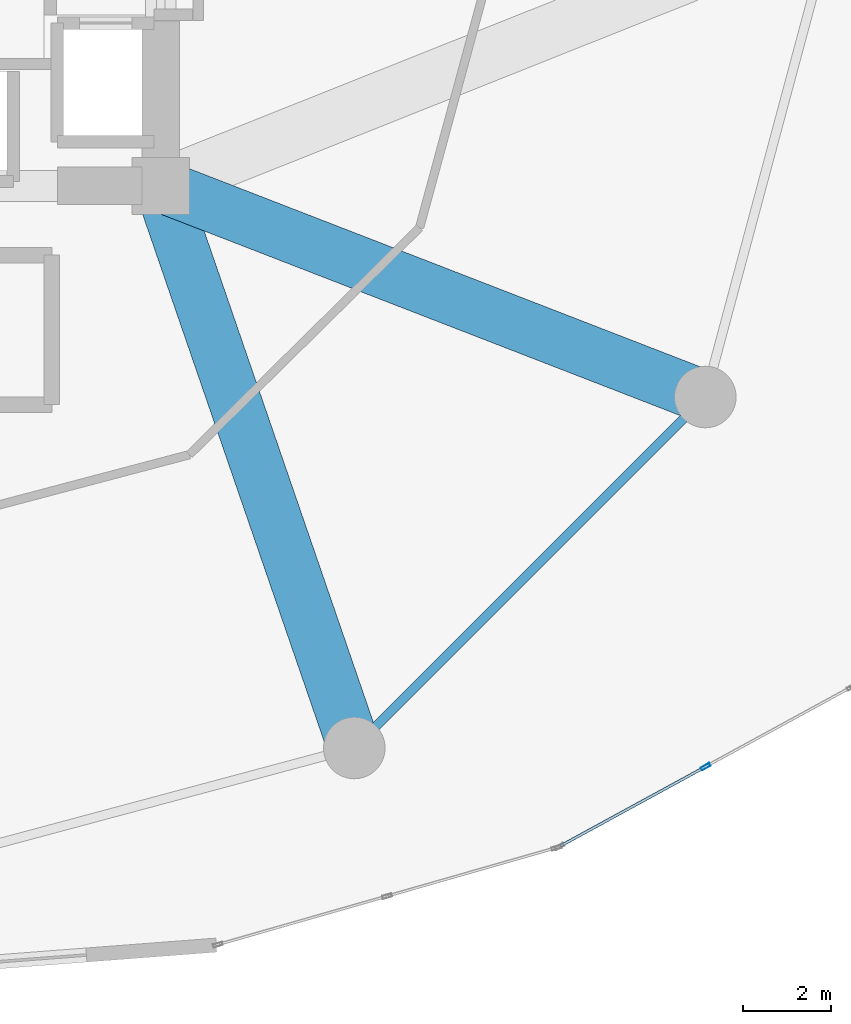
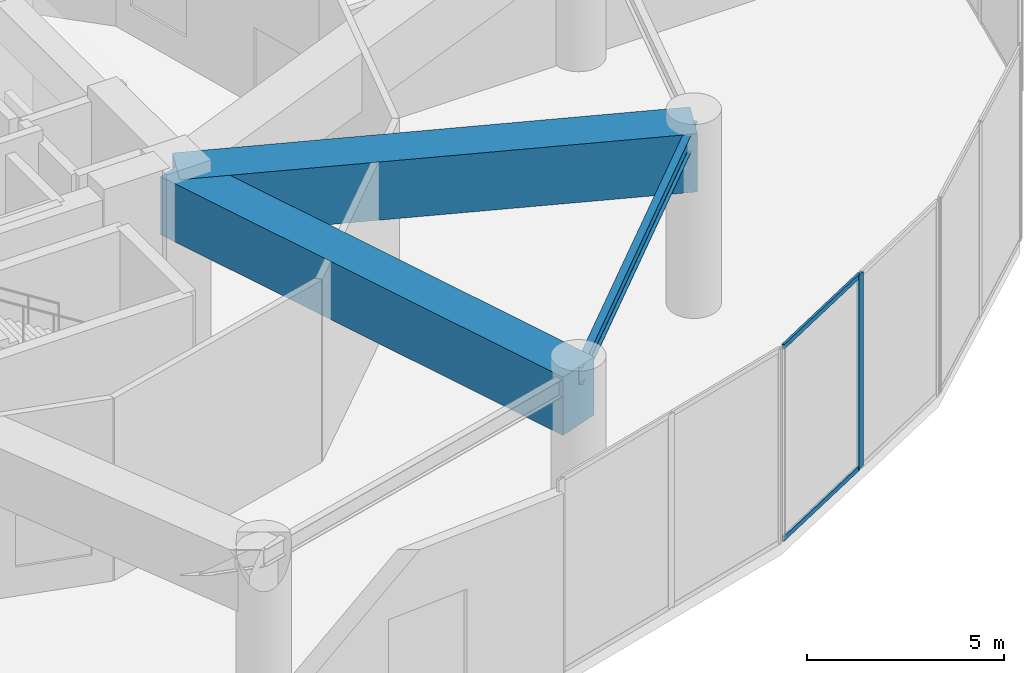
# One storey, part 10 of 28: 3 beams, 3 members, 1 element without a shape of its own.
"""IFC4 building model written with IfcOpenShell, lengths in metres."""

from ifc_helpers import new_model, si_unit, direction, frame, origin, origin_2d, place, context, subcontext, project, spatial, rectangle, hollow_rectangle, i_section, extrude, source, transform, mapped, material, layer, layer_set, material_profile, profile_set, type_object, element, aggregate, save


model = new_model("IFC4")

# Units and contexts
model_context = context("Model", 3, precision=1e-05, world=origin(), true_north=direction((0.0, 1.0)))
body_context = subcontext(model_context, "Body", "Model", "MODEL_VIEW")
ifc_project = project(units=[si_unit("LENGTHUNIT", "METRE"), si_unit("AREAUNIT", "SQUARE_METRE"), si_unit("VOLUMEUNIT", "CUBIC_METRE"), si_unit("PLANEANGLEUNIT", "RADIAN"), si_unit("MASSUNIT", "GRAM", prefix="KILO")], contexts=[model_context])

# Site, building, storey
site_placement = place(None, origin())
site = spatial("IfcSite", under=ifc_project, at=site_placement, CompositionType="ELEMENT")
building_placement = place(site_placement, origin())
building = spatial("IfcBuilding", under=site, at=building_placement, Name="Solvirekh Grand Hotel", CompositionType="ELEMENT")
storey_placement = place(building_placement, frame((0.0, 0.0, 12.60009765625)))
storey = spatial("IfcBuildingStorey", under=building, at=storey_placement, Name="L02", CompositionType="ELEMENT", Elevation=12.60009765625)

# Beams
ifc_material_1 = material(Name="Steel S355", Category="steel")
ifc_material_profile_1 = material_profile(ifc_material_1, i_section(OverallWidth=0.208984375, OverallDepth=0.532958984375, WebThickness=0.010009765625, FlangeThickness=0.014892578125, FilletRadius=0.013916015625, at=origin_2d()), Name="W530X92")
ifc_profile_set_1 = profile_set([ifc_material_profile_1], Name="Steel S355")
beam_type_1 = type_object("IfcBeamType", Name="Spandrel_Ring_W530", PredefinedType="SPANDREL", material=ifc_profile_set_1)
beam_1_placement = place(storey_placement, frame((10.89990234375, -18.87890625, 5.372802734375), z_axis=(0.707106781187, 0.707106781187, 0.0), x_axis=(-0.707106781187, 0.707106781187, 0.0)))
element("IfcBeam", 1, at=beam_1_placement, inside=storey, type_object=beam_type_1, Name="L02 perimeter spandrel beam 11", PredefinedType="SPANDREL", context=body_context, shape_type="SweptSolid", body=[
    extrude(i_section(OverallWidth=0.208984375, OverallDepth=0.532958984375, WebThickness=0.010009765625, FlangeThickness=0.014892578125, FilletRadius=0.013916015625, at=origin_2d()), origin(), (0.0, 0.0, 1.0), 11.283935546875),
])
ifc_material_2 = material(Name="Concrete C60/75", Category="concrete")
ifc_material_profile_2 = material_profile(ifc_material_2, rectangle(XDim=1.199951171875, YDim=1.800048828125, at=origin_2d()), Name="RC GIRDER 1200X1800")
ifc_profile_set_2 = profile_set([ifc_material_profile_2], Name="Concrete C60/75")
beam_type_2 = type_object("IfcBeamType", Name="TransferGirder_RC1800", PredefinedType="USERDEFINED", material=ifc_profile_set_2)
beam_2_placement = place(storey_placement, frame((6.5, -6.10009765625, 4.739990234375), z_axis=(0.325555300394, -0.94552300151, 0.0), x_axis=(0.94552300151, 0.325555300394, 0.0)))
element("IfcBeam", 2, at=beam_2_placement, inside=storey, type_object=beam_type_2, Name="L02 radial transfer girder 11", ObjectType="TRANSFER GIRDER", PredefinedType="USERDEFINED", context=body_context, shape_type="SweptSolid", body=[
    extrude(rectangle(XDim=1.199951171875, YDim=1.800048828125, at=origin_2d()), origin(), (0.0, 0.0, 1.0), 13.51513671875),
])
beam_3_placement = place(storey_placement, frame((6.5, -6.10009765625, 4.739990234375), z_axis=(0.932365862704, -0.361516110381, 0.0), x_axis=(0.361516110381, 0.932365862704, 0.0)))
element("IfcBeam", 3, at=beam_3_placement, inside=storey, type_object=beam_type_2, Name="L02 radial transfer girder 12", ObjectType="TRANSFER GIRDER", PredefinedType="USERDEFINED", context=body_context, shape_type="SweptSolid", body=[
    extrude(rectangle(XDim=1.199951171875, YDim=1.800048828125, at=origin_2d()), origin(), (0.0, 0.0, 1.0), 13.27685546875),
])

# Curtain wall, members
ifc_material_3 = material(Name="Anodized Bronze Aluminium 6063-T6", Category="aluminium")
ifc_layer = layer(ifc_material_3, 0.219970703125)
ifc_layer_set = layer_set([ifc_layer], Name="Anodized Bronze Aluminium 6063-T6")
curtain_wall_type = type_object("IfcCurtainWallType", Name="CW_Sys1_PodiumBronzeUnitised", PredefinedType="NOTDEFINED", material=ifc_layer_set)
curtain_wall_placement = place(storey_placement, origin())
curtain_wall = element("IfcCurtainWall", 4, at=curtain_wall_placement, inside=storey, type_object=curtain_wall_type, Name="L02 unitised bronze-glass curtain wall CW-L02-C21", PredefinedType="NOTDEFINED")
ifc_material_profile_3 = material_profile(ifc_material_3, hollow_rectangle(XDim=0.06494140625, YDim=0.14990234375, WallThickness=0.0048828125, at=origin_2d()), Name="ALU RHS 150X65X5")
ifc_profile_set_3 = profile_set([ifc_material_profile_3], Name="Anodized Bronze Aluminium 6063-T6")
member_type_1 = type_object("IfcMemberType", Name="CWTransom_Sys1", PredefinedType="USERDEFINED", material=ifc_profile_set_3)
shared_shape_1 = source(origin(), body_context, "Body", "SweptSolid", [
    extrude(hollow_rectangle(XDim=0.06494140625, YDim=0.14990234375, WallThickness=0.0048828125, at=origin_2d()), origin(), (0.0, 0.0, 1.0), 3.710693359375),
])
member_1_placement = place(storey_placement, frame((15.597900390625, -21.10107421875, 0.032470703125), z_axis=(0.877641488557, 0.479317658306, 0.0), x_axis=(-0.479317658306, 0.877641488557, 0.0)))
member_1 = element("IfcMember", 5, at=member_1_placement, type_object=member_type_1, Name="U01 transom 1.1", ObjectType="TRANSOM", PredefinedType="USERDEFINED", context=body_context, shape_type="MappedRepresentation", body=[
    mapped(shared_shape_1, transform((0.0, 0.0, 0.0), x_axis=(1.0, 0.0, 0.0), y_axis=(0.0, 1.0, 0.0), z_axis=(0.0, 0.0, 1.0), scale=1.0)),
])
member_2_placement = place(storey_placement, frame((15.597900390625, -21.10107421875, 5.96728515625), z_axis=(0.877641488557, 0.479317658306, 0.0), x_axis=(-0.479317658306, 0.877641488557, 0.0)))
member_2 = element("IfcMember", 6, at=member_2_placement, type_object=member_type_1, Name="U01 transom 1.2", ObjectType="TRANSOM", PredefinedType="USERDEFINED", context=body_context, shape_type="MappedRepresentation", body=[
    mapped(shared_shape_1, transform((0.0, 0.0, 0.0), x_axis=(1.0, 0.0, 0.0), y_axis=(0.0, 1.0, 0.0), z_axis=(0.0, 0.0, 1.0), scale=1.0)),
])
ifc_material_profile_4 = material_profile(ifc_material_3, hollow_rectangle(XDim=0.074951171875, YDim=0.219970703125, WallThickness=0.006103515625, at=origin_2d()), Name="ALU RHS 220X75X6")
ifc_profile_set_4 = profile_set([ifc_material_profile_4], Name="Anodized Bronze Aluminium 6063-T6")
member_type_2 = type_object("IfcMemberType", Name="CWMullion_Sys1", PredefinedType="MULLION", material=ifc_profile_set_4)
shared_shape_2 = source(origin(), body_context, "Body", "SweptSolid", [
    extrude(hollow_rectangle(XDim=0.074951171875, YDim=0.219970703125, WallThickness=0.006103515625, at=origin_2d()), origin(), (0.0, 0.0, 1.0), 6.0),
])
member_3_placement = place(storey_placement, frame((18.887451171875, -19.304443359375, 0.0), z_axis=(0.0, 0.0, 1.0), x_axis=(-0.479301044448, 0.877650561893, 0.0)))
member_3 = element("IfcMember", 7, at=member_3_placement, type_object=member_type_2, Name="U01 mullion 2", PredefinedType="MULLION", context=body_context, shape_type="MappedRepresentation", body=[
    mapped(shared_shape_2, transform((0.0, 0.0, 0.0), x_axis=(1.0, 0.0, 0.0), y_axis=(0.0, 1.0, 0.0), z_axis=(0.0, 0.0, 1.0), scale=1.0)),
])
aggregate(curtain_wall, [member_3, member_1, member_2])

save(model, "model.ifc")
